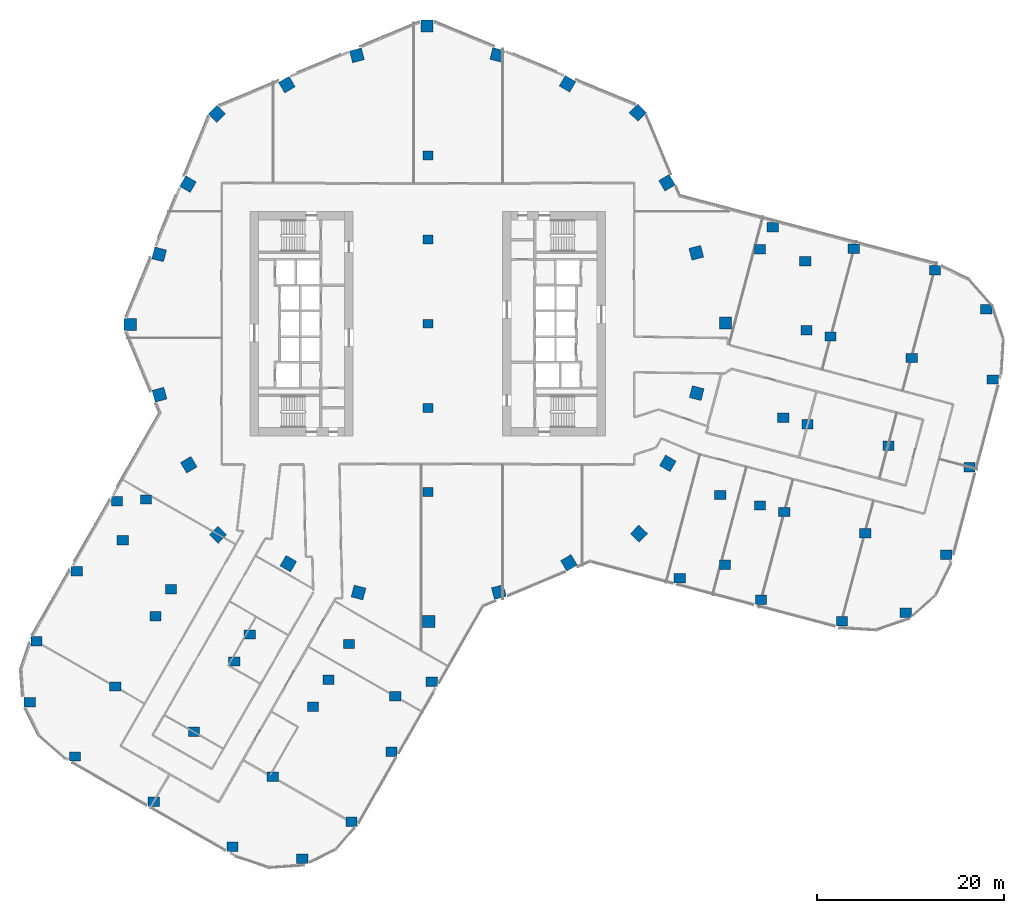
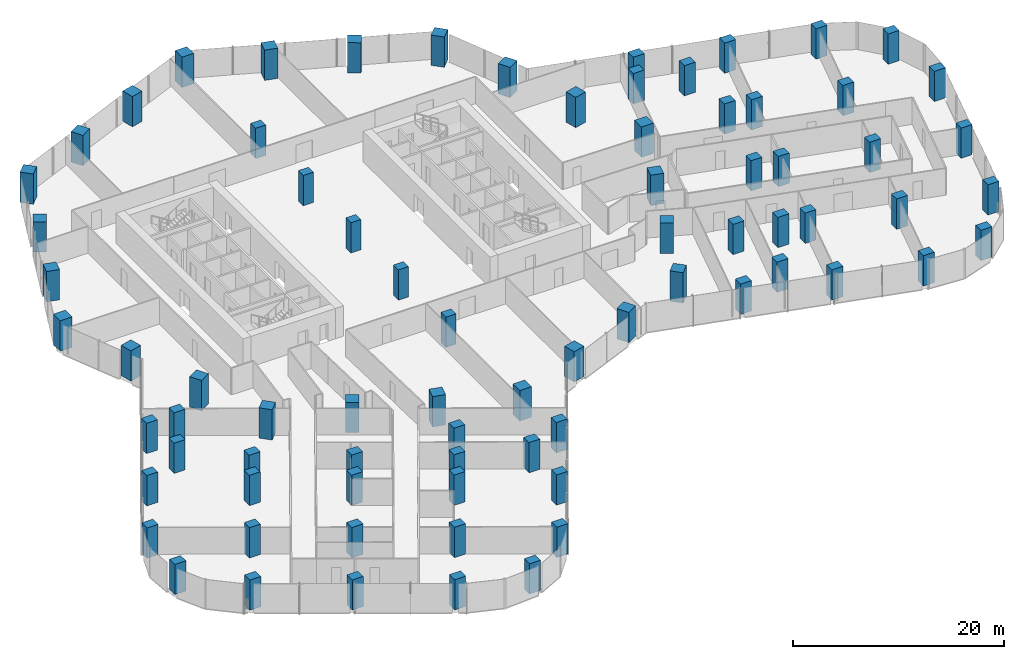
# One storey, part 1 of 34: 77 columns.
"""IFC4 building model written with IfcOpenShell, lengths in metres."""

from ifc_helpers import new_model, si_unit, direction, frame, origin, origin_2d, place, context, subcontext, project, spatial, rectangle, extrude, material, material_profile, profile_set, type_object, element, save


model = new_model("IFC4")

# Units and contexts
model_context = context("Model", 3, precision=1e-05, world=origin(), true_north=direction((0.0, 1.0)))
body_context = subcontext(model_context, "Body", "Model", "MODEL_VIEW")
ifc_project = project(units=[si_unit("LENGTHUNIT", "METRE"), si_unit("AREAUNIT", "SQUARE_METRE"), si_unit("VOLUMEUNIT", "CUBIC_METRE"), si_unit("PLANEANGLEUNIT", "RADIAN"), si_unit("MASSUNIT", "GRAM", prefix="KILO")], contexts=[model_context])

# Site, building, storey
site_placement = place(None, origin())
site = spatial("IfcSite", under=ifc_project, at=site_placement, CompositionType="ELEMENT")
building_placement = place(site_placement, origin())
building = spatial("IfcBuilding", under=site, at=building_placement, Name="Orlundy Tower", CompositionType="ELEMENT")
storey_placement = place(building_placement, frame((0.0, 0.0, 105.699951171875)))
storey = spatial("IfcBuildingStorey", under=building, at=storey_placement, Name="L26", CompositionType="ELEMENT", Elevation=105.699951171875)

# Columns
ifc_material_1 = material(Name="Concrete C80/95", Category="concrete")
ifc_material_profile_1 = material_profile(ifc_material_1, rectangle(XDim=1.10009765625, YDim=0.949951171875, at=origin_2d()), Name="RC1100X950")
ifc_profile_set_1 = profile_set([ifc_material_profile_1], Name="Concrete C80/95")
column_type_1 = type_object("IfcColumnType", Name="RC COLUMN RC1100X950 C80/95", PredefinedType="COLUMN", material=ifc_profile_set_1)
for number, where, z_axis, x_axis, name in (
    (1, (0.0, -18.0, 0.0), (0.0, 0.0, 1.0), (1.0, 0.0, 0.0), "Column C-M1 L26"),
    (2, (0.0, -9.0, 0.0), (0.0, 0.0, 1.0), (1.0, 0.0, 0.0), "Column C-M2 L26"),
    (3, (0.0, 0.0, 0.0), (0.0, 0.0, 1.0), (1.0, 0.0, 0.0), "Column C-M3 L26"),
    (4, (0.0, 9.0, 0.0), (0.0, 0.0, 1.0), (1.0, 0.0, 0.0), "Column C-M4 L26"),
    (5, (0.0, 18.0, 0.0), (0.0, 0.0, 1.0), (1.0, 0.0, 0.0), "Column C-M5 L26"),
):
    element("IfcColumn", number, at=place(storey_placement, frame(where, z_axis=z_axis, x_axis=x_axis)), inside=storey, type_object=column_type_1, Name=name, PredefinedType="COLUMN", context=body_context, shape_type="SweptSolid", body=[
        extrude(rectangle(XDim=1.10009765625, YDim=0.949951171875, at=origin_2d()), origin(), (0.0, 0.0, 1.0), 3.5),
    ])
ifc_material_2 = material(Name="Concrete C80/95", Category="concrete")
ifc_material_profile_2 = material_profile(ifc_material_2, rectangle(XDim=1.199951171875, YDim=1.0, at=origin_2d()), Name="RC1200X1000")
ifc_profile_set_2 = profile_set([ifc_material_profile_2], Name="Concrete C80/95")
column_type_2 = type_object("IfcColumnType", Name="RC COLUMN RC1200X1000 C80/95", PredefinedType="COLUMN", material=ifc_profile_set_2)
for number, where, z_axis, x_axis, name in (
    (6, (26.93408203125, -27.201904296875, 0.0), (0.0, 0.0, 1.0), (1.0, 0.0, 0.0), "Column C-A1-1 L26"),
    (7, (35.60205078125, -29.4970703125, 0.0), (0.0, 0.0, 1.0), (1.0, 0.0, 0.0), "Column C-A1-2 L26"),
    (8, (44.26904296875, -31.79296875, 0.0), (0.0, 0.0, 1.0), (1.0, 0.0, 0.0), "Column C-A1-3 L26"),
    (9, (51.0849609375, -30.90087890625, 0.0), (0.0, 0.0, 1.0), (1.0, 0.0, 0.0), "Column C-A1-5 L26"),
    (10, (31.7509765625, -25.781005859375, 0.0), (0.0, 0.0, 1.0), (1.0, 0.0, 0.0), "Column C-A1-6 L26"),
    (11, (38.0849609375, -20.12109375, 0.0), (0.0, 0.0, 1.0), (1.0, 0.0, 0.0), "Column C-A2-2 L26"),
    (12, (46.7529296875, -22.416015625, 0.0), (0.0, 0.0, 1.0), (1.0, 0.0, 0.0), "Column C-A2-3 L26"),
    (13, (55.4208984375, -24.7119140625, 0.0), (0.0, 0.0, 1.0), (1.0, 0.0, 0.0), "Column C-A2-5 L26"),
    (14, (35.507080078125, -19.43798828125, 0.0), (0.0, 0.0, 1.0), (1.0, 0.0, 0.0), "Column C-A2-6 L26"),
    (15, (31.25390625, -18.31103515625, 0.0), (0.0, 0.0, 1.0), (1.0, 0.0, 0.0), "Column C-A2-7 L26"),
    (16, (40.568115234375, -10.743896484375, 0.0), (0.0, 0.0, 1.0), (1.0, 0.0, 0.0), "Column C-A3-2 L26"),
    (17, (49.236083984375, -13.0390625, 0.0), (0.0, 0.0, 1.0), (1.0, 0.0, 0.0), "Column C-A3-3 L26"),
    (18, (57.904052734375, -15.3349609375, 0.0), (0.0, 0.0, 1.0), (1.0, 0.0, 0.0), "Column C-A3-5 L26"),
    (19, (37.989990234375, -10.06103515625, 0.0), (0.0, 0.0, 1.0), (1.0, 0.0, 0.0), "Column C-A3-6 L26"),
    (20, (43.051025390625, -1.366943359375, 0.0), (0.0, 0.0, 1.0), (1.0, 0.0, 0.0), "Column C-A4-2 L26"),
    (21, (51.718994140625, -3.6630859375, 0.0), (0.0, 0.0, 1.0), (1.0, 0.0, 0.0), "Column C-A4-3 L26"),
    (22, (60.386962890625, -5.9580078125, 0.0), (0.0, 0.0, 1.0), (1.0, 0.0, 0.0), "Column C-A4-5 L26"),
    (23, (40.47412109375, -0.68408203125, 0.0), (0.0, 0.0, 1.0), (1.0, 0.0, 0.0), "Column C-A4-6 L26"),
    (24, (36.866943359375, 10.304931640625, 0.0), (0.0, 0.0, 1.0), (1.0, 0.0, 0.0), "Column C-A5-1 L26"),
    (25, (45.534912109375, 8.010009765625, 0.0), (0.0, 0.0, 1.0), (1.0, 0.0, 0.0), "Column C-A5-2 L26"),
    (26, (54.202880859375, 5.714111328125, 0.0), (0.0, 0.0, 1.0), (1.0, 0.0, 0.0), "Column C-A5-3 L26"),
    (27, (59.68310546875, 1.56591796875, 0.0), (0.0, 0.0, 1.0), (1.0, 0.0, 0.0), "Column C-A5-5 L26"),
    (28, (40.35009765625, 6.68603515625, 0.0), (0.0, 0.0, 1.0), (1.0, 0.0, 0.0), "Column C-A5-6 L26"),
    (29, (35.51611328125, 7.966064453125, 0.0), (0.0, 0.0, 1.0), (1.0, 0.0, 0.0), "Column C-A5-7 L26"),
    (30, (-33.24609375, -18.97607421875, 0.0), (0.0, 0.0, 1.0), (1.0, 0.0, 0.0), "Column C-B1-1 L26"),
    (31, (-37.541015625, -26.465087890625, 0.0), (0.0, 0.0, 1.0), (1.0, 0.0, 0.0), "Column C-B1-2 L26"),
    (32, (-41.83203125, -33.9560546875, 0.0), (0.0, 0.0, 1.0), (1.0, 0.0, 0.0), "Column C-B1-3 L26"),
    (33, (-42.572021484375, -40.47900390625, 0.0), (0.0, 0.0, 1.0), (1.0, 0.0, 0.0), "Column C-B1-5 L26"),
    (34, (-32.623046875, -23.12890625, 0.0), (0.0, 0.0, 1.0), (1.0, 0.0, 0.0), "Column C-B1-6 L26"),
    (35, (-30.135009765625, -18.7919921875, 0.0), (0.0, 0.0, 1.0), (1.0, 0.0, 0.0), "Column C-B1-7 L26"),
    (36, (-29.1259765625, -31.2900390625, 0.0), (0.0, 0.0, 1.0), (1.0, 0.0, 0.0), "Column C-B2-2 L26"),
    (37, (-33.4208984375, -38.780029296875, 0.0), (0.0, 0.0, 1.0), (1.0, 0.0, 0.0), "Column C-B2-3 L26"),
    (38, (-37.716064453125, -46.26904296875, 0.0), (0.0, 0.0, 1.0), (1.0, 0.0, 0.0), "Column C-B2-5 L26"),
    (39, (-27.468017578125, -28.39892578125, 0.0), (0.0, 0.0, 1.0), (1.0, 0.0, 0.0), "Column C-B2-6 L26"),
    (40, (-20.7119140625, -36.115966796875, 0.0), (0.0, 0.0, 1.0), (1.0, 0.0, 0.0), "Column C-B3-2 L26"),
    (41, (-25.007080078125, -43.60498046875, 0.0), (0.0, 0.0, 1.0), (1.0, 0.0, 0.0), "Column C-B3-3 L26"),
    (42, (-29.301025390625, -51.093994140625, 0.0), (0.0, 0.0, 1.0), (1.0, 0.0, 0.0), "Column C-B3-5 L26"),
    (43, (-19.052978515625, -33.22412109375, 0.0), (0.0, 0.0, 1.0), (1.0, 0.0, 0.0), "Column C-B3-6 L26"),
    (44, (-12.297119140625, -40.94091796875, 0.0), (0.0, 0.0, 1.0), (1.0, 0.0, 0.0), "Column C-B4-2 L26"),
    (45, (-16.592041015625, -48.430908203125, 0.0), (0.0, 0.0, 1.0), (1.0, 0.0, 0.0), "Column C-B4-3 L26"),
    (46, (-20.886962890625, -55.919921875, 0.0), (0.0, 0.0, 1.0), (1.0, 0.0, 0.0), "Column C-B4-5 L26"),
    (47, (-10.638916015625, -38.050048828125, 0.0), (0.0, 0.0, 1.0), (1.0, 0.0, 0.0), "Column C-B4-6 L26"),
    (48, (-8.449951171875, -34.23291015625, 0.0), (0.0, 0.0, 1.0), (1.0, 0.0, 0.0), "Column C-B4-7 L26"),
    (49, (0.412109375, -38.278076171875, 0.0), (0.0, 0.0, 1.0), (1.0, 0.0, 0.0), "Column C-B5-1 L26"),
    (50, (-3.883056640625, -45.76708984375, 0.0), (0.0, 0.0, 1.0), (1.0, 0.0, 0.0), "Column C-B5-2 L26"),
    (51, (-8.180908203125, -53.25390625, 0.0), (0.0, 0.0, 1.0), (1.0, 0.0, 0.0), "Column C-B5-3 L26"),
    (52, (-13.43701171875, -57.18701171875, 0.0), (0.0, 0.0, 1.0), (1.0, 0.0, 0.0), "Column C-B5-5 L26"),
    (53, (-3.487060546875, -39.837890625, 0.0), (0.0, 0.0, 1.0), (1.0, 0.0, 0.0), "Column C-B5-6 L26"),
):
    element("IfcColumn", number, at=place(storey_placement, frame(where, z_axis=z_axis, x_axis=x_axis)), inside=storey, type_object=column_type_2, Name=name, PredefinedType="COLUMN", context=body_context, shape_type="SweptSolid", body=[
        extrude(rectangle(XDim=1.199951171875, YDim=1.0, at=origin_2d()), origin(), (0.0, 0.0, 1.0), 3.5),
    ])
ifc_material_3 = material(Name="Concrete C80/95", Category="concrete")
ifc_material_profile_3 = material_profile(ifc_material_3, rectangle(XDim=1.300048828125, YDim=1.300048828125, at=origin_2d()), Name="RC1300X1300")
ifc_profile_set_3 = profile_set([ifc_material_profile_3], Name="Concrete C80/95")
column_type_3 = type_object("IfcColumnType", Name="RC COLUMN RC1300X1300 C80/95", PredefinedType="COLUMN", material=ifc_profile_set_3)
for number, where, z_axis, x_axis, name in (
    (54, (22.43603515625, 22.56689453125, 0.0), (0.0, 0.0, 1.0), (0.705042776473, 0.709164778696, 0.0), "Column C-H01 L26"),
    (55, (25.56494140625, 15.075927734375, 0.0), (0.0, 0.0, 1.0), (0.86138102753, 0.507959373781, 0.0), "Column C-H02 L26"),
    (56, (28.694091796875, 7.583984375, 0.0), (0.0, 0.0, 1.0), (0.966801093075, 0.25553012822, 0.0), "Column C-H03 L26"),
    (57, (31.822021484375, 0.093017578125, 0.0), (0.0, 0.0, 1.0), (0.999995752265, 0.002914695724, 0.0), "Column C-H04 L26"),
    (58, (28.737060546875, -7.4169921875, 0.0), (0.0, 0.0, 1.0), (0.968269883519, -0.249906847984, 0.0), "Column C-H05 L26"),
    (59, (25.652099609375, -14.927001953125, 0.0), (0.0, 0.0, 1.0), (0.864318695434, -0.50294452251, 0.0), "Column C-H06 L26"),
    (60, (22.56689453125, -22.43603515625, 0.0), (0.0, 0.0, 1.0), (0.709164778696, -0.705042776473, 0.0), "Column C-H07 L26"),
    (61, (15.075927734375, -25.56494140625, 0.0), (0.0, 0.0, 1.0), (0.507959373781, -0.86138102753, 0.0), "Column C-H08 L26"),
    (62, (7.583984375, -28.694091796875, 0.0), (0.0, 0.0, 1.0), (0.25553012822, -0.966801093075, 0.0), "Column C-H09 L26"),
    (63, (0.093017578125, -31.822021484375, 0.0), (0.0, 0.0, 1.0), (0.002914695724, -0.999995752265, 0.0), "Column C-H10 L26"),
    (64, (-7.4169921875, -28.737060546875, 0.0), (0.0, 0.0, 1.0), (-0.249906847984, -0.968269883519, 0.0), "Column C-H11 L26"),
    (65, (-14.927001953125, -25.652099609375, 0.0), (0.0, 0.0, 1.0), (-0.50294452251, -0.864318695434, 0.0), "Column C-H12 L26"),
    (66, (-22.43603515625, -22.56689453125, 0.0), (0.0, 0.0, 1.0), (-0.705042776473, -0.709164778696, 0.0), "Column C-H13 L26"),
    (67, (-25.56494140625, -15.075927734375, 0.0), (0.0, 0.0, 1.0), (-0.86138102753, -0.507959373781, 0.0), "Column C-H14 L26"),
    (68, (-28.694091796875, -7.583984375, 0.0), (0.0, 0.0, 1.0), (-0.966801093075, -0.25553012822, 0.0), "Column C-H15 L26"),
    (69, (-31.822021484375, -0.093017578125, 0.0), (0.0, 0.0, 1.0), (-0.999995752265, -0.002914695724, 0.0), "Column C-H16 L26"),
    (70, (-28.737060546875, 7.4169921875, 0.0), (0.0, 0.0, 1.0), (-0.968269883519, 0.249906847984, 0.0), "Column C-H17 L26"),
    (71, (-25.652099609375, 14.927001953125, 0.0), (0.0, 0.0, 1.0), (-0.864318695434, 0.50294452251, 0.0), "Column C-H18 L26"),
    (72, (-22.56689453125, 22.43603515625, 0.0), (0.0, 0.0, 1.0), (-0.709164778696, 0.705042776473, 0.0), "Column C-H19 L26"),
    (73, (-15.075927734375, 25.56494140625, 0.0), (0.0, 0.0, 1.0), (-0.507959373781, 0.86138102753, 0.0), "Column C-H20 L26"),
    (74, (-7.583984375, 28.694091796875, 0.0), (0.0, 0.0, 1.0), (-0.25553012822, 0.966801093075, 0.0), "Column C-H21 L26"),
    (75, (-0.093017578125, 31.822021484375, 0.0), (0.0, 0.0, 1.0), (-0.002914695724, 0.999995752265, 0.0), "Column C-H22 L26"),
    (76, (7.4169921875, 28.737060546875, 0.0), (0.0, 0.0, 1.0), (0.249906847984, 0.968269883519, 0.0), "Column C-H23 L26"),
    (77, (14.927001953125, 25.652099609375, 0.0), (0.0, 0.0, 1.0), (0.50294452251, 0.864318695434, 0.0), "Column C-H24 L26"),
):
    element("IfcColumn", number, at=place(storey_placement, frame(where, z_axis=z_axis, x_axis=x_axis)), inside=storey, type_object=column_type_3, Name=name, PredefinedType="COLUMN", context=body_context, shape_type="SweptSolid", body=[
        extrude(rectangle(XDim=1.300048828125, YDim=1.300048828125, at=origin_2d()), origin(), (0.0, 0.0, 1.0), 3.5),
    ])

save(model, "model.ifc")
